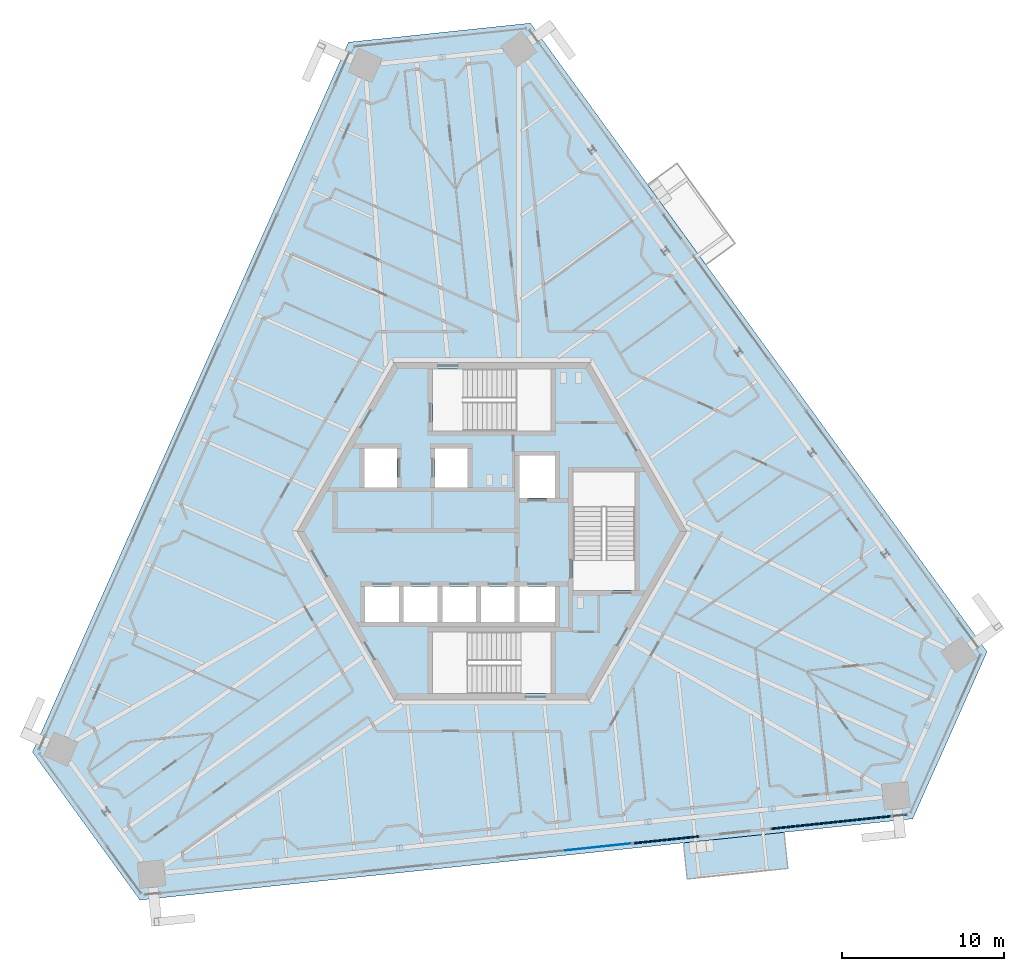
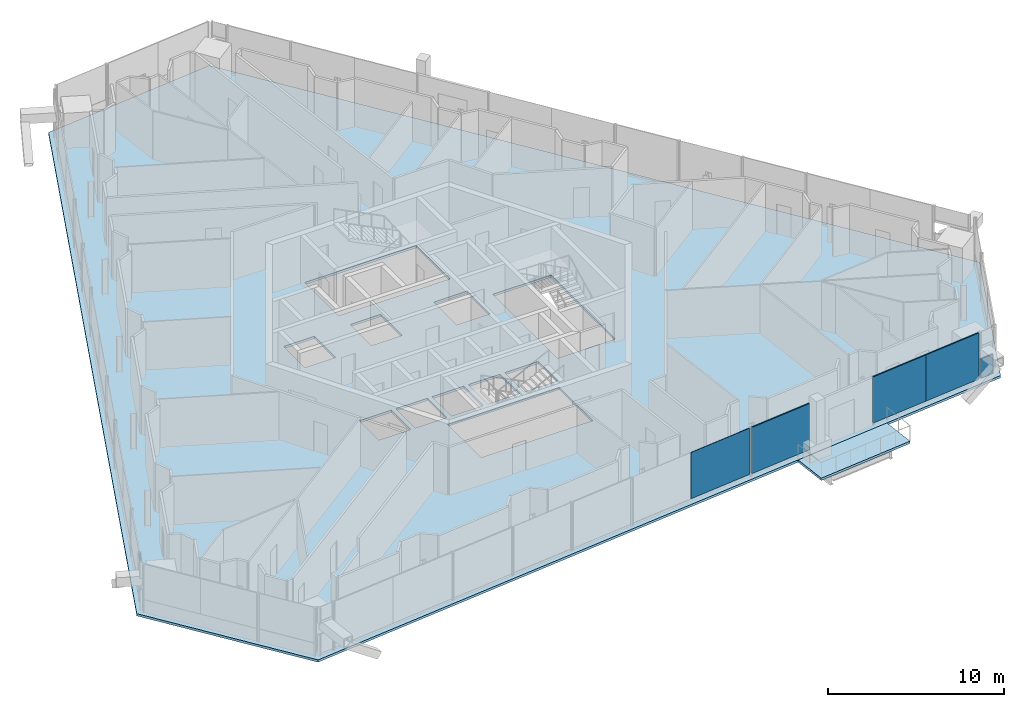
# One storey, part 12 of 26: 5 plates, 2 slabs, 4 elements without a shape of their own.
"""IFC4 building model written with IfcOpenShell, lengths in metres."""

from ifc_helpers import new_model, si_unit, direction, frame, origin, origin_2d, place, context, subcontext, project, spatial, polyline, rectangle, outline, extrude, source, transform, mapped, material, layer, layer_set, type_object, element, aggregate, save


model = new_model("IFC4")

# Units and contexts
model_context = context("Model", 3, precision=1e-05, world=origin(), true_north=direction((0.0, 1.0)))
body_context = subcontext(model_context, "Body", "Model", "MODEL_VIEW")
ifc_project = project(units=[si_unit("LENGTHUNIT", "METRE"), si_unit("AREAUNIT", "SQUARE_METRE"), si_unit("VOLUMEUNIT", "CUBIC_METRE"), si_unit("PLANEANGLEUNIT", "RADIAN"), si_unit("MASSUNIT", "GRAM", prefix="KILO")], contexts=[model_context])

# Site, building, storey
site_placement = place(None, origin())
site = spatial("IfcSite", under=ifc_project, at=site_placement, CompositionType="ELEMENT")
building_placement = place(site_placement, origin())
building = spatial("IfcBuilding", under=site, at=building_placement, Name="Triune Harvest Tower", CompositionType="ELEMENT")
storey_placement = place(building_placement, frame((0.0, 0.0, 252.10009765625)))
storey = spatial("IfcBuildingStorey", under=building, at=storey_placement, Name="L66", CompositionType="ELEMENT", Elevation=252.10009765625)

# Slab
ifc_material_1 = material(Name="Concrete 40 MPa", Category="concrete")
ifc_layer_1 = layer(ifc_material_1, 0.159912109375)
ifc_layer_set_1 = layer_set([ifc_layer_1], Name="Concrete 40 MPa")
slab_type_1 = type_object("IfcSlabType", Name="BA-1 balcony slab 160", PredefinedType="FLOOR", material=ifc_layer_set_1)
slab_1_placement = place(storey_placement, frame((0.0, 0.0, -0.16015625)))
element("IfcSlab", 1, at=slab_1_placement, inside=storey, type_object=slab_type_1, Name="Balcony slab B6-F5 L66.9", PredefinedType="FLOOR", context=body_context, shape_type="SweptSolid", body=[
    extrude(outline(polyline([(11.791015625, -19.176025390625), (17.984130859375, -18.52490234375), (18.2177734375, -20.747314453125), (12.024658203125, -21.398193359375), (11.791015625, -19.176025390625)])), origin(), (0.0, 0.0, 1.0), 0.16015625),
])

# Curtain wall, plate
ifc_material_2 = material(Name="Aluminium bronze anodised", Category="aluminium")
curtain_wall_type_1 = type_object("IfcCurtainWallType", Name="CW-10 Balcony window wall with insulated spandrel infill", PredefinedType="NOTDEFINED", material=ifc_material_2)
curtain_wall_1_placement = place(storey_placement, origin())
curtain_wall_1 = element("IfcCurtainWall", 2, at=curtain_wall_1_placement, inside=storey, type_object=curtain_wall_type_1, Name="CW-10 B6-F5 L66 run 102")
ifc_material_3 = material(Name="Insulated spandrel panel, bronze aluminium pan", Category="aluminium")
ifc_layer_2 = layer(ifc_material_3, 0.080078125)
ifc_layer_set_2 = layer_set([ifc_layer_2], Name="Insulated spandrel panel, bronze aluminium pan")
plate_type_1 = type_object("IfcPlateType", Name="SP-1 insulated spandrel panel 80", PredefinedType="CURTAIN_PANEL", material=ifc_layer_set_2)
plate_1_placement = place(storey_placement, frame((25.11572265625, -17.473876953125, 0.14990234375), z_axis=(0.0, 0.0, 1.0), x_axis=(0.994521930704, 0.104528127067, 0.0)))
plate_1 = element("IfcPlate", 3, at=plate_1_placement, type_object=plate_type_1, Name="CW-10 panel B6-F5 102.1", PredefinedType="CURTAIN_PANEL", context=body_context, shape_type="SweptSolid", body=[
    extrude(rectangle(XDim=0.846923828125, YDim=0.080078125, at=origin_2d()), origin(), (0.0, 0.0, 1.0), 1.31494140625),
])
aggregate(curtain_wall_1, [plate_1])

# Slab
ifc_material_4 = material(Name="Concrete 40 MPa", Category="concrete")
ifc_layer_3 = layer(ifc_material_4, 0.159912109375)
ifc_layer_set_3 = layer_set([ifc_layer_3], Name="Concrete 40 MPa")
slab_type_2 = type_object("IfcSlabType", Name="SL-1 Composite floor slab 160", PredefinedType="FLOOR", material=ifc_layer_set_3)
shared_shape_1 = source(origin(), body_context, "Body", "SweptSolid", [
    extrude(outline(polyline([(30.481689453125, -7.412109375), (2.3701171875, 31.280517578125), (-8.82177734375, 30.10400390625), (-28.274658203125, -13.587646484375), (-21.659912109375, -22.69189453125), (25.904541015625, -17.692626953125), (30.481689453125, -7.412109375)]), holes=[polyline([(-5.72509765625, -5.590087890625), (-5.72509765625, -3.389892578125), (-7.800048828125, -3.389892578125), (-7.800048828125, -5.590087890625), (-5.72509765625, -5.590087890625)]), polyline([(-3.35009765625, -5.590087890625), (-3.35009765625, -3.389892578125), (-5.425048828125, -3.389892578125), (-5.425048828125, -5.590087890625), (-3.35009765625, -5.590087890625)]), polyline([(-0.97509765625, -5.590087890625), (-0.97509765625, -3.389892578125), (-3.050048828125, -3.389892578125), (-3.050048828125, -5.590087890625), (-0.97509765625, -5.590087890625)]), polyline([(1.39990234375, -5.590087890625), (1.39990234375, -3.389892578125), (-0.675048828125, -3.389892578125), (-0.675048828125, -5.590087890625), (1.39990234375, -5.590087890625)]), polyline([(3.89990234375, 2.06005859375), (3.89990234375, 4.659912109375), (1.699951171875, 4.659912109375), (1.699951171875, 2.06005859375), (3.89990234375, 2.06005859375)]), polyline([(3.89990234375, -5.590087890625), (3.89990234375, -3.389892578125), (1.699951171875, -3.389892578125), (1.699951171875, -5.590087890625), (3.89990234375, -5.590087890625)]), polyline([(-5.85009765625, 2.7099609375), (-5.85009765625, 5.110107421875), (-7.85009765625, 5.110107421875), (-7.85009765625, 2.7099609375), (-5.85009765625, 2.7099609375)]), polyline([(-1.5, 2.7099609375), (-1.5, 5.110107421875), (-3.5, 5.110107421875), (-3.5, 2.7099609375), (-1.5, 2.7099609375)]), polyline([(3.64990234375, 6.18994140625), (3.64990234375, 9.989990234375), (-3.64990234375, 9.989990234375), (-3.64990234375, 6.18994140625), (3.64990234375, 6.18994140625)]), polyline([(3.64990234375, -9.989990234375), (3.64990234375, -6.18994140625), (-3.64990234375, -6.18994140625), (-3.64990234375, -9.989990234375), (3.64990234375, -9.989990234375)]), polyline([(8.800048828125, -3.64990234375), (8.800048828125, 3.64990234375), (5.0, 3.64990234375), (5.0, -3.64990234375), (8.800048828125, -3.64990234375)])]), origin(), (0.0, 0.0, 1.0), 0.16015625),
])
slab_2_placement = place(storey_placement, frame((0.0, 0.0, -0.16015625)))
element("IfcSlab", 4, at=slab_2_placement, inside=storey, type_object=slab_type_2, Name="slab/L66/1", PredefinedType="FLOOR", context=body_context, shape_type="MappedRepresentation", body=[
    mapped(shared_shape_1, transform((0.0, 0.0, 0.0), scale=1.0)),
])

# Curtain wall, plate
curtain_wall_2_placement = place(storey_placement, origin())
curtain_wall_2 = element("IfcCurtainWall", 5, at=curtain_wall_2_placement, inside=storey, type_object=curtain_wall_type_1, Name="CW-10 B6-F5 L66 run 4201")
shared_shape_2 = source(origin(), body_context, "Body", "SweptSolid", [
    extrude(rectangle(XDim=4.030517578125, YDim=0.080078125, at=origin_2d()), origin(), (0.0, 0.0, 1.0), 3.199951171875),
])
plate_2_placement = place(storey_placement, frame((10.743896484375, -18.984375, 0.14990234375), z_axis=(0.0, 0.0, 1.0), x_axis=(0.994521432054, 0.104532871319, 0.0)))
plate_2 = element("IfcPlate", 6, at=plate_2_placement, type_object=plate_type_1, Name="CW-10 panel B6-F5 4201.1", PredefinedType="CURTAIN_PANEL", context=body_context, shape_type="MappedRepresentation", body=[
    mapped(shared_shape_2, transform((0.0, 0.0, 0.0), scale=1.0)),
])
aggregate(curtain_wall_2, [plate_2])

ifc_material_5 = material(Name="Aluminium bronze anodised", Category="aluminium")
curtain_wall_type_2 = type_object("IfcCurtainWallType", Name="CW-6 Balcony window wall", PredefinedType="NOTDEFINED", material=ifc_material_5)
curtain_wall_3_placement = place(storey_placement, origin())
curtain_wall_3 = element("IfcCurtainWall", 7, at=curtain_wall_3_placement, inside=storey, type_object=curtain_wall_type_2, Name="CW-6 B6-F5 L66 run 3201")
ifc_material_6 = material(Name="Glass", Category="glass")
ifc_layer_4 = layer(ifc_material_6, 0.030029296875)
ifc_layer_set_4 = layer_set([ifc_layer_4], Name="Glass")
plate_type_2 = type_object("IfcPlateType", Name="GL-6 panel 30", PredefinedType="CURTAIN_PANEL", material=ifc_layer_set_4)
shared_shape_3 = source(origin(), body_context, "Body", "SweptSolid", [
    extrude(rectangle(XDim=4.10546875, YDim=0.030029296875, at=origin_2d()), origin(), (0.0, 0.0, 1.0), 3.199951171875),
])
plate_3_placement = place(storey_placement, frame((6.549072265625, -19.42529296875, 0.14990234375), z_axis=(0.0, 0.0, 1.0), x_axis=(0.994521562743, 0.104531627937, 0.0)))
plate_3 = element("IfcPlate", 8, at=plate_3_placement, type_object=plate_type_2, Name="CW-6 panel B6-F5 3201.2", PredefinedType="CURTAIN_PANEL", context=body_context, shape_type="MappedRepresentation", body=[
    mapped(shared_shape_3, transform((0.0, 0.0, 0.0), scale=1.0)),
])
aggregate(curtain_wall_3, [plate_3])

# Curtain wall, plates
curtain_wall_4_placement = place(storey_placement, origin())
curtain_wall_4 = element("IfcCurtainWall", 9, at=curtain_wall_4_placement, inside=storey, type_object=curtain_wall_type_1, Name="CW-10 B6-F5 L66 run 2")
shared_shape_4 = source(origin(), body_context, "Body", "SweptSolid", [
    extrude(rectangle(XDim=3.697998046875, YDim=0.080078125, at=origin_2d()), origin(), (0.0, 0.0, 1.0), 3.199951171875),
])
plate_4_placement = place(storey_placement, frame((19.029052734375, -18.113525390625, 0.14990234375), z_axis=(0.0, 0.0, 1.0), x_axis=(0.994521416546, 0.10453301886, 0.0)))
plate_4 = element("IfcPlate", 10, at=plate_4_placement, type_object=plate_type_1, Name="CW-10 panel B6-F5 2.1", PredefinedType="CURTAIN_PANEL", context=body_context, shape_type="MappedRepresentation", body=[
    mapped(shared_shape_4, transform((0.0, 0.0, 0.0), scale=1.0)),
])
plate_5_placement = place(storey_placement, frame((22.70654296875, -17.72705078125, 0.14990234375), z_axis=(0.0, 0.0, 1.0), x_axis=(0.994521416546, 0.10453301886, 0.0)))
plate_5 = element("IfcPlate", 11, at=plate_5_placement, type_object=plate_type_1, Name="CW-10 panel B6-F5 2.2", PredefinedType="CURTAIN_PANEL", context=body_context, shape_type="MappedRepresentation", body=[
    mapped(shared_shape_4, transform((0.0, 0.0, 0.0), scale=1.0)),
])
aggregate(curtain_wall_4, [plate_4, plate_5])

save(model, "model.ifc")
